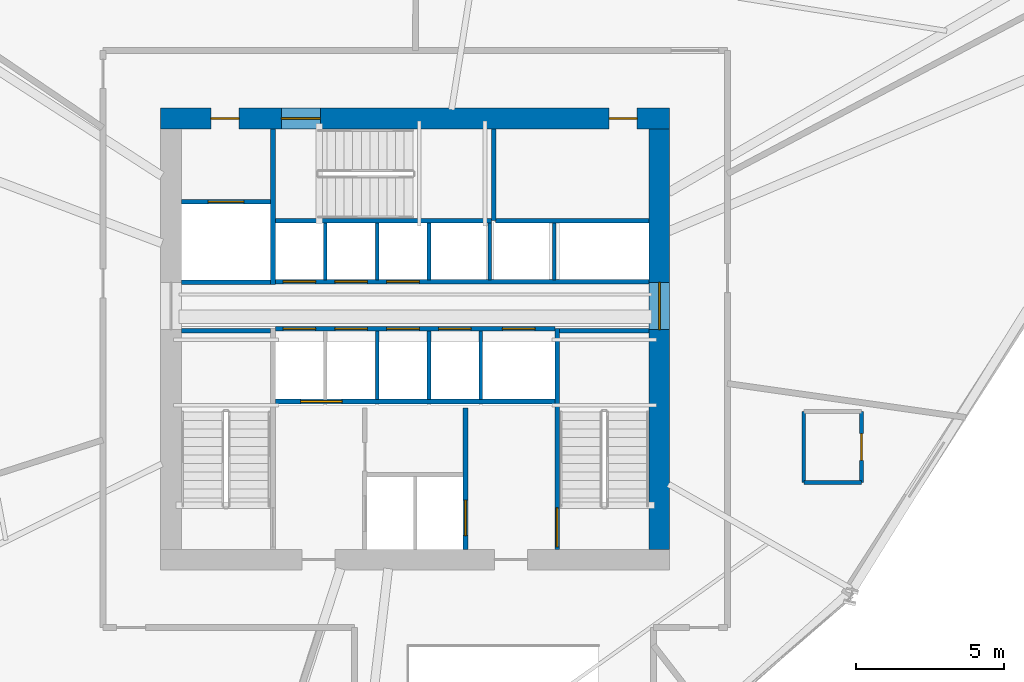
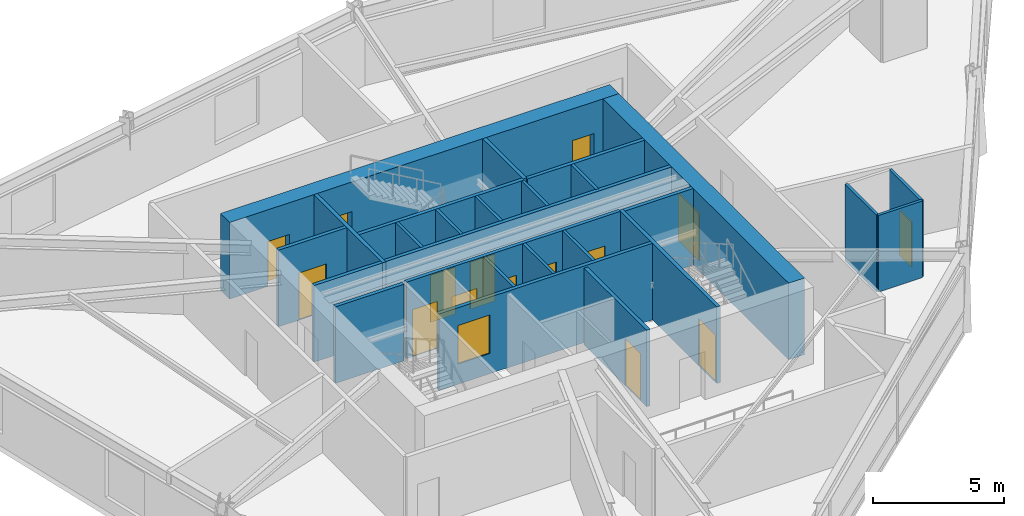
# One storey, part 12 of 16: 26 walls, 16 doors, 1 window, 17 openings.
"""IFC4 building model written with IfcOpenShell, lengths in metres."""

from ifc_helpers import new_model, si_unit, direction, frame, frame_2d, origin, place, context, subcontext, project, spatial, rectangle, extrude, source, transform, mapped, material, layer, layer_set, type_object, type_shapes, element, fill, save


model = new_model("IFC4")

# Units and contexts
model_context = context("Model", 3, precision=1e-05, world=origin(), true_north=direction((0.0, 1.0)))
body_context = subcontext(model_context, "Body", "Model", "MODEL_VIEW")
ifc_project = project(units=[si_unit("LENGTHUNIT", "METRE"), si_unit("AREAUNIT", "SQUARE_METRE"), si_unit("VOLUMEUNIT", "CUBIC_METRE"), si_unit("PLANEANGLEUNIT", "RADIAN"), si_unit("MASSUNIT", "GRAM", prefix="KILO")], contexts=[model_context])

# Site, building, storey
site_placement = place(None, origin())
site = spatial("IfcSite", under=ifc_project, at=site_placement, CompositionType="ELEMENT")
building_placement = place(site_placement, origin())
building = spatial("IfcBuilding", under=site, at=building_placement, Name="Olszyna Solenne Hotel", CompositionType="ELEMENT")
storey_placement = place(building_placement, frame((0.0, 0.0, 138.10009765625)))
storey = spatial("IfcBuildingStorey", under=building, at=storey_placement, Name="L36", CompositionType="ELEMENT", Elevation=138.10009765625)

# Wall, openings, doors
ifc_material_1 = material(Name="Concrete C60/75", Category="concrete")
ifc_layer_1 = layer(ifc_material_1, 0.699951171875, Name="Concrete C60/75")
ifc_layer_set_1 = layer_set([ifc_layer_1], Name="Concrete C60/75")
wall_type_1 = type_object("IfcWallType", Name="WL-CR700", PredefinedType="SHEAR", material=ifc_layer_set_1)
wall_1_placement = place(storey_placement, frame((29.39990234375, 34.050048828125, 0.0), z_axis=(0.0, 0.0, 1.0), x_axis=(1.0, 0.0, 0.0)))
wall_1 = element("IfcWall", 1, at=wall_1_placement, inside=storey, type_object=wall_type_1, Name="Core shear wall WL-CR700 CRW-L36-N", PredefinedType="SHEAR", context=body_context, shape_type="SweptSolid", body=[
    extrude(rectangle(XDim=17.2001953125, YDim=0.699951171875, at=frame_2d((8.60009765625, 0.0))), origin(), (0.0, 0.0, 1.0), 3.579833984375),
])
opening_1_placement = place(wall_1_placement, frame((1.699951171875, 0.0, 0.0)))
opening_1 = element("IfcOpeningElement", 2, at=opening_1_placement, cuts=wall_1, Name="Opening SVD-L36-01", PredefinedType="OPENING", context=body_context, shape_type="SweptSolid", body=[
    extrude(rectangle(XDim=0.949951171875, YDim=2.10009765625, at=frame_2d((0.47509765625, 1.050048828125))), frame((0.0, 0.35986328125, 0.0), z_axis=(0.0, -1.0, 0.0), x_axis=(1.0, 0.0, 0.0)), (0.0, 0.0, 1.0), 0.719970703125),
])
opening_2_placement = place(wall_1_placement, frame((4.080078125, 0.0, 0.0)))
opening_2 = element("IfcOpeningElement", 3, at=opening_2_placement, cuts=wall_1, Name="Opening STD-L36-03", PredefinedType="OPENING", context=body_context, shape_type="SweptSolid", body=[
    extrude(rectangle(XDim=1.320068359375, YDim=2.199951171875, at=frame_2d((0.66015625, 1.10009765625))), frame((0.0, 0.35986328125, 0.0), z_axis=(0.0, -1.0, 0.0), x_axis=(1.0, 0.0, 0.0)), (0.0, 0.0, 1.0), 0.719970703125),
])
opening_3_placement = place(wall_1_placement, frame((15.14990234375, 0.0, 0.0)))
opening_3 = element("IfcOpeningElement", 4, at=opening_3_placement, cuts=wall_1, Name="Opening SVD-L36-BN", PredefinedType="OPENING", context=body_context, shape_type="SweptSolid", body=[
    extrude(rectangle(XDim=0.949951171875, YDim=2.10009765625, at=frame_2d((0.47509765625, 1.050048828125))), frame((0.0, 0.35986328125, 0.0), z_axis=(0.0, -1.0, 0.0), x_axis=(1.0, 0.0, 0.0)), (0.0, 0.0, 1.0), 0.719970703125),
])
ifc_material_2 = material(Name="Steel S355J2", Category="steel")
door_type_1 = type_object("IfcDoorType", Name="DR-ST1", OperationType="NOTDEFINED", PredefinedType="DOOR", material=ifc_material_2)
shared_shape_1 = source(origin(), body_context, "Body", "SweptSolid", [
    extrude(rectangle(XDim=1.320068359375, YDim=2.199951171875, at=frame_2d((0.66015625, 1.10009765625))), frame((0.0, 0.02490234375, 0.0), z_axis=(0.0, -1.0, 0.0), x_axis=(1.0, 0.0, 0.0)), (0.0, 0.0, 1.0), 0.050048828125),
])
type_shapes(door_type_1, [shared_shape_1])
door_1_placement = place(opening_2_placement, origin())
door_1 = element("IfcDoor", 5, at=door_1_placement, inside=storey, type_object=door_type_1, Name="Pressurised exit stair ST3 fire door STD-L36-03", OperationType="SINGLE_SWING_RIGHT", OverallHeight=2.199951171875, OverallWidth=1.320068359375, PredefinedType="DOOR", context=body_context, shape_type="MappedRepresentation", body=[
    mapped(shared_shape_1, transform((0.0, 0.0, 0.0), x_axis=(1.0, 0.0, 0.0), y_axis=(0.0, 1.0, 0.0), z_axis=(0.0, 0.0, 1.0), scale=1.0)),
])
fill(opening_2, door_1)
door_type_2 = type_object("IfcDoorType", Name="DR-SV1", OperationType="NOTDEFINED", PredefinedType="DOOR", material=ifc_material_2)
shared_shape_2 = source(origin(), body_context, "Body", "SweptSolid", [
    extrude(rectangle(XDim=0.949951171875, YDim=2.10009765625, at=frame_2d((0.47509765625, 1.050048828125))), frame((0.0, 0.02490234375, 0.0), z_axis=(0.0, -1.0, 0.0), x_axis=(1.0, 0.0, 0.0)), (0.0, 0.0, 1.0), 0.050048828125),
])
type_shapes(door_type_2, [shared_shape_2])
door_2_placement = place(opening_1_placement, origin())
door_2 = element("IfcDoor", 6, at=door_2_placement, inside=storey, type_object=door_type_2, Name="Service lift lobby fire door SVD-L36-01", OperationType="SINGLE_SWING_LEFT", OverallHeight=2.10009765625, OverallWidth=0.949951171875, PredefinedType="DOOR", context=body_context, shape_type="MappedRepresentation", body=[
    mapped(shared_shape_2, transform((0.0, 0.0, 0.0), x_axis=(1.0, 0.0, 0.0), y_axis=(0.0, 1.0, 0.0), z_axis=(0.0, 0.0, 1.0), scale=1.0)),
])
fill(opening_1, door_2)
door_3_placement = place(opening_3_placement, origin())
door_3 = element("IfcDoor", 7, at=door_3_placement, inside=storey, type_object=door_type_2, Name="Housekeeping core fire door SVD-L36-BN", OperationType="SINGLE_SWING_LEFT", OverallHeight=2.10009765625, OverallWidth=0.949951171875, PredefinedType="DOOR", context=body_context, shape_type="MappedRepresentation", body=[
    mapped(shared_shape_2, transform((0.0, 0.0, 0.0), x_axis=(1.0, 0.0, 0.0), y_axis=(0.0, 1.0, 0.0), z_axis=(0.0, 0.0, 1.0), scale=1.0)),
])
fill(opening_3, door_3)

# Wall, opening, door
wall_2_placement = place(storey_placement, frame((46.25, 33.699951171875, 0.0), z_axis=(0.0, 0.0, 1.0), x_axis=(0.0, -1.0, 0.0)))
wall_2 = element("IfcWall", 8, at=wall_2_placement, inside=storey, type_object=wall_type_1, Name="Core shear wall WL-CR700 CRW-L36-E", PredefinedType="SHEAR", context=body_context, shape_type="SweptSolid", body=[
    extrude(rectangle(XDim=14.199951171875, YDim=0.699951171875, at=frame_2d((7.10009765625, 0.0))), origin(), (0.0, 0.0, 1.0), 3.579833984375),
])
opening_4_placement = place(wall_2_placement, frame((5.179931640625, 0.0, 0.0)))
opening_4 = element("IfcOpeningElement", 9, at=opening_4_placement, cuts=wall_2, Name="Opening LHD-L36-E", PredefinedType="OPENING", context=body_context, shape_type="SweptSolid", body=[
    extrude(rectangle(XDim=1.60009765625, YDim=2.199951171875, at=frame_2d((0.800048828125, 1.10009765625))), frame((0.0, 0.35986328125, 0.0), z_axis=(0.0, -1.0, 0.0), x_axis=(1.0, 0.0, 0.0)), (0.0, 0.0, 1.0), 0.719970703125),
])
ifc_material_3 = material(Name="Timber hardwood", Category="wood")
door_type_3 = type_object("IfcDoorType", Name="DR-CR1", OperationType="DOUBLE_DOOR_SINGLE_SWING", PredefinedType="DOOR", material=ifc_material_3)
shared_shape_3 = source(origin(), body_context, "Body", "SweptSolid", [
    extrude(rectangle(XDim=1.60009765625, YDim=2.199951171875, at=frame_2d((0.800048828125, 1.10009765625))), frame((0.0, 0.02490234375, 0.0), z_axis=(0.0, -1.0, 0.0), x_axis=(1.0, 0.0, 0.0)), (0.0, 0.0, 1.0), 0.050048828125),
])
type_shapes(door_type_3, [shared_shape_3])
door_4_placement = place(opening_4_placement, origin())
door_4 = element("IfcDoor", 10, at=door_4_placement, inside=storey, type_object=door_type_3, Name="Passenger lift lobby East fire door LHD-L36-E", OperationType="DOUBLE_DOOR_SINGLE_SWING", OverallHeight=2.199951171875, OverallWidth=1.60009765625, PredefinedType="DOOR", context=body_context, shape_type="MappedRepresentation", body=[
    mapped(shared_shape_3, transform((0.0, 0.0, 0.0), x_axis=(1.0, 0.0, 0.0), y_axis=(0.0, 1.0, 0.0), z_axis=(0.0, 0.0, 1.0), scale=1.0)),
])
fill(opening_4, door_4)

# Walls
ifc_material_4 = material(Name="Acoustic gypsum partition", Category="gypsum")
ifc_layer_2 = layer(ifc_material_4, 0.125, Name="Acoustic gypsum partition")
ifc_layer_set_2 = layer_set([ifc_layer_2], Name="Acoustic gypsum partition")
wall_type_2 = type_object("IfcWallType", Name="WL-PT125", PredefinedType="PARTITIONING", material=ifc_layer_set_2)
for number, where, z_axis, x_axis, name in (
    (11, (36.715087890625, 24.56005859375, 0.0), (0.0, 0.0, 1.0), (0.0, 1.0, 0.0), "Core shaft compartment wall CW-L36-DIVS367"),
    (12, (38.465087890625, 24.56005859375, 0.0), (0.0, 0.0, 1.0), (0.0, 1.0, 0.0), "Core shaft compartment wall CW-L36-DIVS384"),
    (13, (40.215087890625, 24.56005859375, 0.0), (0.0, 0.0, 1.0), (0.0, 1.0, 0.0), "Core shaft compartment wall CW-L36-DIVS402"),
):
    element("IfcWall", number, at=place(storey_placement, frame(where, z_axis=z_axis, x_axis=x_axis)), inside=storey, type_object=wall_type_2, Name=name, PredefinedType="PARTITIONING", context=body_context, shape_type="SweptSolid", body=[
        extrude(rectangle(XDim=2.31005859375, YDim=0.125, at=frame_2d((1.155029296875, 0.0))), origin(), (0.0, 0.0, 1.0), 3.579833984375),
    ])
for number, where, z_axis, x_axis, name in (
    (14, (34.965087890625, 28.60009765625, 0.0), (0.0, 0.0, 1.0), (0.0, 1.0, 0.0), "Core shaft compartment wall CW-L36-DIVN349"),
    (15, (36.715087890625, 28.60009765625, 0.0), (0.0, 0.0, 1.0), (0.0, 1.0, 0.0), "Core shaft compartment wall CW-L36-DIVN367"),
    (16, (38.465087890625, 28.60009765625, 0.0), (0.0, 0.0, 1.0), (0.0, 1.0, 0.0), "Core shaft compartment wall CW-L36-DIVN384"),
    (17, (40.52490234375, 28.60009765625, 0.0), (0.0, 0.0, 1.0), (0.0, 1.0, 0.0), "Core shaft compartment wall CW-L36-DIVEX405"),
    (18, (42.699951171875, 28.60009765625, 0.0), (0.0, 0.0, 1.0), (0.0, 1.0, 0.0), "Core shaft compartment wall CW-L36-DIVEX427"),
):
    element("IfcWall", number, at=place(storey_placement, frame(where, z_axis=z_axis, x_axis=x_axis)), inside=storey, type_object=wall_type_2, Name=name, PredefinedType="PARTITIONING", context=body_context, shape_type="SweptSolid", body=[
        extrude(rectangle(XDim=1.919921875, YDim=0.125, at=frame_2d((0.9599609375, 0.0))), origin(), (0.0, 0.0, 1.0), 3.579833984375),
    ])

# Wall, opening, door
wall_3_placement = place(storey_placement, frame((53.08203125, 21.75390625, 0.0), z_axis=(0.0, 0.0, 1.0), x_axis=(0.0, 1.0, 0.0)))
wall_3 = element("IfcWall", 19, at=wall_3_placement, inside=storey, type_object=wall_type_2, Name="Interior acoustic partition WL-PT125 PW-L36-2073", PredefinedType="PARTITIONING", context=body_context, shape_type="SweptSolid", body=[
    extrude(rectangle(XDim=2.400146484375, YDim=0.125, at=frame_2d((1.2001953125, 0.0))), origin(), (0.0, 0.0, 1.0), 3.579833984375),
])
opening_5_placement = place(wall_3_placement, frame((0.75, 0.0, 0.0)))
opening_5 = element("IfcOpeningElement", 20, at=opening_5_placement, cuts=wall_3, Name="Opening DR-L36-0501", PredefinedType="OPENING", context=body_context, shape_type="SweptSolid", body=[
    extrude(rectangle(XDim=0.89990234375, YDim=2.10009765625, at=frame_2d((0.449951171875, 1.050048828125))), frame((0.0, 0.072509765625, 0.0), z_axis=(0.0, -1.0, 0.0), x_axis=(1.0, 0.0, 0.0)), (0.0, 0.0, 1.0), 0.14501953125),
])
door_type_4 = type_object("IfcDoorType", Name="DR-WC1", OperationType="NOTDEFINED", PredefinedType="DOOR", material=ifc_material_3)
shared_shape_4 = source(origin(), body_context, "Body", "SweptSolid", [
    extrude(rectangle(XDim=0.89990234375, YDim=2.10009765625, at=frame_2d((0.449951171875, 1.050048828125))), frame((0.0, 0.02490234375, 0.0), z_axis=(0.0, -1.0, 0.0), x_axis=(1.0, 0.0, 0.0)), (0.0, 0.0, 1.0), 0.050048828125),
])
type_shapes(door_type_4, [shared_shape_4])
door_5_placement = place(opening_5_placement, origin())
door_5 = element("IfcDoor", 21, at=door_5_placement, inside=storey, type_object=door_type_4, Name="En-Suite Bathroom Door DR-L36-0501", OperationType="SINGLE_SWING_LEFT", OverallHeight=2.10009765625, OverallWidth=0.89990234375, PredefinedType="DOOR", context=body_context, shape_type="MappedRepresentation", body=[
    mapped(shared_shape_4, transform((0.0, 0.0, 0.0), x_axis=(1.0, 0.0, 0.0), y_axis=(0.0, 1.0, 0.0), z_axis=(0.0, 0.0, 1.0), scale=1.0)),
])
fill(opening_5, door_5)

# Walls
wall_4_placement = place(storey_placement, frame((51.132080078125, 24.154052734375, 0.0), z_axis=(0.0, 0.0, 1.0), x_axis=(0.0, -1.0, 0.0)))
element("IfcWall", 22, at=wall_4_placement, inside=storey, type_object=wall_type_2, Name="Interior acoustic partition WL-PT125 PW-L36-2075", PredefinedType="PARTITIONING", context=body_context, shape_type="SweptSolid", body=[
    extrude(rectangle(XDim=2.400146484375, YDim=0.125, at=frame_2d((1.2001953125, 0.0))), origin(), (0.0, 0.0, 1.0), 3.579833984375),
])
wall_5_placement = place(storey_placement, frame((51.132080078125, 21.75390625, 0.0), z_axis=(0.0, 0.0, 1.0), x_axis=(1.0, 0.0, 0.0)))
element("IfcWall", 23, at=wall_5_placement, inside=storey, type_object=wall_type_2, Name="Interior acoustic partition WL-PT125 PW-L36-2076", PredefinedType="PARTITIONING", context=body_context, shape_type="SweptSolid", body=[
    extrude(rectangle(XDim=1.949951171875, YDim=0.125, at=frame_2d((0.97509765625, 0.0))), origin(), (0.0, 0.0, 1.0), 3.579833984375),
])
ifc_layer_3 = layer(ifc_material_4, 0.159912109375, Name="Acoustic gypsum partition")
ifc_layer_set_3 = layer_set([ifc_layer_3], Name="Acoustic gypsum partition")
wall_type_3 = type_object("IfcWallType", Name="WL-PT160", PredefinedType="PARTITIONING", material=ifc_layer_set_3)
wall_6_placement = place(storey_placement, frame((30.10009765625, 26.8798828125, 0.0), z_axis=(0.0, 0.0, 1.0), x_axis=(1.0, 0.0, 0.0)))
element("IfcWall", 24, at=wall_6_placement, inside=storey, type_object=wall_type_3, Name="Core shaft compartment wall CW-L36-ST1N", PredefinedType="PARTITIONING", context=body_context, shape_type="SweptSolid", body=[
    extrude(rectangle(XDim=3.02001953125, YDim=0.159912109375, at=frame_2d((1.510009765625, 0.0))), origin(), (0.0, 0.0, 1.0), 3.579833984375),
])

# Wall, opening, door
wall_7_placement = place(storey_placement, frame((42.800048828125, 26.9599609375, 0.0), z_axis=(0.0, 0.0, 1.0), x_axis=(0.0, -1.0, 0.0)))
wall_7 = element("IfcWall", 25, at=wall_7_placement, inside=storey, type_object=wall_type_3, Name="Core shaft compartment wall CW-L36-ST2W", PredefinedType="PARTITIONING", context=body_context, shape_type="SweptSolid", body=[
    extrude(rectangle(XDim=7.4599609375, YDim=0.159912109375, at=frame_2d((3.72998046875, 0.0))), origin(), (0.0, 0.0, 1.0), 3.579833984375),
])
opening_6_placement = place(wall_7_placement, frame((6.06005859375, 0.0, 0.0)))
opening_6 = element("IfcOpeningElement", 26, at=opening_6_placement, cuts=wall_7, Name="Opening STD-L36-02", PredefinedType="OPENING", context=body_context, shape_type="SweptSolid", body=[
    extrude(rectangle(XDim=1.320068359375, YDim=2.199951171875, at=frame_2d((0.66015625, 1.10009765625))), frame((0.0, 0.08984375, 0.0), z_axis=(0.0, -1.0, 0.0), x_axis=(1.0, 0.0, 0.0)), (0.0, 0.0, 1.0), 0.179931640625),
])
door_6_placement = place(opening_6_placement, origin())
door_6 = element("IfcDoor", 27, at=door_6_placement, inside=storey, type_object=door_type_1, Name="Pressurised exit stair ST2 fire door STD-L36-02", OperationType="SINGLE_SWING_RIGHT", OverallHeight=2.199951171875, OverallWidth=1.320068359375, PredefinedType="DOOR", context=body_context, shape_type="MappedRepresentation", body=[
    mapped(shared_shape_1, transform((0.0, 0.0, 0.0), x_axis=(1.0, 0.0, 0.0), y_axis=(0.0, 1.0, 0.0), z_axis=(0.0, 0.0, 1.0), scale=1.0)),
])
fill(opening_6, door_6)

# Walls
wall_8_placement = place(storey_placement, frame((42.8798828125, 26.8798828125, 0.0), z_axis=(0.0, 0.0, 1.0), x_axis=(1.0, 0.0, 0.0)))
element("IfcWall", 28, at=wall_8_placement, inside=storey, type_object=wall_type_3, Name="Core shaft compartment wall CW-L36-ST2N", PredefinedType="PARTITIONING", context=body_context, shape_type="SweptSolid", body=[
    extrude(rectangle(XDim=3.02001953125, YDim=0.159912109375, at=frame_2d((1.510009765625, 0.0))), origin(), (0.0, 0.0, 1.0), 3.579833984375),
])
wall_9_placement = place(storey_placement, frame((33.280029296875, 30.60009765625, 0.0), z_axis=(0.0, 0.0, 1.0), x_axis=(1.0, 0.0, 0.0)))
element("IfcWall", 29, at=wall_9_placement, inside=storey, type_object=wall_type_3, Name="Core shaft compartment wall CW-L36-ST3S", PredefinedType="PARTITIONING", context=body_context, shape_type="SweptSolid", body=[
    extrude(rectangle(XDim=7.300048828125, YDim=0.159912109375, at=frame_2d((3.64990234375, 0.0))), origin(), (0.0, 0.0, 1.0), 3.579833984375),
])
wall_10_placement = place(storey_placement, frame((40.659912109375, 30.60009765625, 0.0), z_axis=(0.0, 0.0, 1.0), x_axis=(0.0, 1.0, 0.0)))
element("IfcWall", 30, at=wall_10_placement, inside=storey, type_object=wall_type_3, Name="Core shaft compartment wall CW-L36-ST3E", PredefinedType="PARTITIONING", context=body_context, shape_type="SweptSolid", body=[
    extrude(rectangle(XDim=3.099853515625, YDim=0.159912109375, at=frame_2d((1.5498046875, 0.0))), origin(), (0.0, 0.0, 1.0), 3.579833984375),
])

# Wall, opening, door
wall_11_placement = place(storey_placement, frame((39.699951171875, 24.280029296875, 0.0), z_axis=(0.0, 0.0, 1.0), x_axis=(0.0, -1.0, 0.0)))
wall_11 = element("IfcWall", 31, at=wall_11_placement, inside=storey, type_object=wall_type_3, Name="Core shaft compartment wall CW-L36-FF2E", PredefinedType="PARTITIONING", context=body_context, shape_type="SweptSolid", body=[
    extrude(rectangle(XDim=4.780029296875, YDim=0.159912109375, at=frame_2d((2.39013671875, 0.0))), origin(), (0.0, 0.0, 1.0), 3.579833984375),
])
opening_7_placement = place(wall_11_placement, frame((3.1201171875, 0.0, 0.0)))
opening_7 = element("IfcOpeningElement", 32, at=opening_7_placement, cuts=wall_11, Name="Opening LD-L36-FF2", PredefinedType="OPENING", context=body_context, shape_type="SweptSolid", body=[
    extrude(rectangle(XDim=1.199951171875, YDim=2.199951171875, at=frame_2d((0.60009765625, 1.10009765625))), frame((0.0, 0.08984375, 0.0), z_axis=(0.0, -1.0, 0.0), x_axis=(1.0, 0.0, 0.0)), (0.0, 0.0, 1.0), 0.179931640625),
])
door_type_5 = type_object("IfcDoorType", Name="LD-FF1", OperationType="DOUBLE_DOOR_SLIDING", PredefinedType="DOOR", material=ifc_material_2)
shared_shape_5 = source(origin(), body_context, "Body", "SweptSolid", [
    extrude(rectangle(XDim=1.199951171875, YDim=2.199951171875, at=frame_2d((0.60009765625, 1.10009765625))), frame((0.0, 0.02490234375, 0.0), z_axis=(0.0, -1.0, 0.0), x_axis=(1.0, 0.0, 0.0)), (0.0, 0.0, 1.0), 0.050048828125),
])
type_shapes(door_type_5, [shared_shape_5])
door_7_placement = place(opening_7_placement, origin())
door_7 = element("IfcDoor", 33, at=door_7_placement, inside=storey, type_object=door_type_5, Name="Firefighters lift FF2 sliding landing door LD-L36-FF2", OperationType="DOUBLE_DOOR_SLIDING", OverallHeight=2.199951171875, OverallWidth=1.199951171875, PredefinedType="DOOR", context=body_context, shape_type="MappedRepresentation", body=[
    mapped(shared_shape_5, transform((0.0, 0.0, 0.0), x_axis=(1.0, 0.0, 0.0), y_axis=(0.0, 1.0, 0.0), z_axis=(0.0, 0.0, 1.0), scale=1.0)),
])
fill(opening_7, door_7)

# Wall, opening, window
wall_12_placement = place(storey_placement, frame((33.280029296875, 24.489990234375, 0.0), z_axis=(0.0, 0.0, 1.0), x_axis=(1.0, 0.0, 0.0)))
wall_12 = element("IfcWall", 34, at=wall_12_placement, inside=storey, type_object=wall_type_3, Name="Core shaft compartment wall CW-L36-FFBN", PredefinedType="PARTITIONING", context=body_context, shape_type="SweptSolid", body=[
    extrude(rectangle(XDim=9.43994140625, YDim=0.159912109375, at=frame_2d((4.719970703125, 0.0))), origin(), (0.0, 0.0, 1.0), 3.579833984375),
])
opening_8_placement = place(wall_12_placement, frame((0.85009765625, 0.0, 0.949951171875)))
opening_8 = element("IfcOpeningElement", 35, at=opening_8_placement, cuts=wall_12, Name="Opening WNI-L36-01", PredefinedType="OPENING", context=body_context, shape_type="SweptSolid", body=[
    extrude(rectangle(XDim=1.39990234375, YDim=1.800048828125, at=frame_2d((0.699951171875, 0.89990234375))), frame((0.0, 0.08984375, 0.0), z_axis=(0.0, -1.0, 0.0), x_axis=(1.0, 0.0, 0.0)), (0.0, 0.0, 1.0), 0.179931640625),
])
ifc_material_5 = material(Name="Low-E triple glazing", Category="glass")
window_type = type_object("IfcWindowType", Name="WN-IN1", PartitioningType="SINGLE_PANEL", PredefinedType="WINDOW", material=ifc_material_5)
shared_shape_6 = source(origin(), body_context, "Body", "SweptSolid", [
    extrude(rectangle(XDim=1.39990234375, YDim=1.800048828125, at=frame_2d((0.699951171875, 0.89990234375))), frame((0.0, 0.030029296875, 0.0), z_axis=(0.0, -1.0, 0.0), x_axis=(1.0, 0.0, 0.0)), (0.0, 0.0, 1.0), 0.06005859375),
])
type_shapes(window_type, [shared_shape_6])
window_placement = place(opening_8_placement, origin())
window = element("IfcWindow", 36, at=window_placement, inside=storey, type_object=window_type, Name="Borrowed-light acoustic screen window WNI-L36-01", OverallHeight=1.800048828125, OverallWidth=1.39990234375, PartitioningType="SINGLE_PANEL", PredefinedType="WINDOW", context=body_context, shape_type="MappedRepresentation", body=[
    mapped(shared_shape_6, transform((0.0, 0.0, 0.0), x_axis=(1.0, 0.0, 0.0), y_axis=(0.0, 1.0, 0.0), z_axis=(0.0, 0.0, 1.0), scale=1.0)),
])
fill(opening_8, window)

# Walls
wall_13_placement = place(storey_placement, frame((30.10009765625, 28.52001953125, 0.0), z_axis=(0.0, 0.0, 1.0), x_axis=(1.0, 0.0, 0.0)))
element("IfcWall", 37, at=wall_13_placement, inside=storey, type_object=wall_type_3, Name="Core shaft compartment wall CW-L36-SV1S", PredefinedType="PARTITIONING", context=body_context, shape_type="SweptSolid", body=[
    extrude(rectangle(XDim=3.02001953125, YDim=0.159912109375, at=frame_2d((1.510009765625, 0.0))), origin(), (0.0, 0.0, 1.0), 3.579833984375),
])
wall_14_placement = place(storey_placement, frame((33.199951171875, 28.43994140625, 0.0), z_axis=(0.0, 0.0, 1.0), x_axis=(0.0, 1.0, 0.0)))
element("IfcWall", 38, at=wall_14_placement, inside=storey, type_object=wall_type_3, Name="Core shaft compartment wall CW-L36-SV1E", PredefinedType="PARTITIONING", context=body_context, shape_type="SweptSolid", body=[
    extrude(rectangle(XDim=5.260009765625, YDim=0.159912109375, at=frame_2d((2.6298828125, 0.0))), origin(), (0.0, 0.0, 1.0), 3.579833984375),
])

# Wall, opening, door
wall_15_placement = place(storey_placement, frame((30.10009765625, 31.239990234375, 0.0), z_axis=(0.0, 0.0, 1.0), x_axis=(1.0, 0.0, 0.0)))
wall_15 = element("IfcWall", 39, at=wall_15_placement, inside=storey, type_object=wall_type_3, Name="Core shaft compartment wall CW-L36-SV1N", PredefinedType="PARTITIONING", context=body_context, shape_type="SweptSolid", body=[
    extrude(rectangle(XDim=3.02001953125, YDim=0.159912109375, at=frame_2d((1.510009765625, 0.0))), origin(), (0.0, 0.0, 1.0), 3.579833984375),
])
opening_9_placement = place(wall_15_placement, frame((0.909912109375, 0.0, 0.0)))
opening_9 = element("IfcOpeningElement", 40, at=opening_9_placement, cuts=wall_15, Name="Opening LD-L36-SV1", PredefinedType="OPENING", context=body_context, shape_type="SweptSolid", body=[
    extrude(rectangle(XDim=1.199951171875, YDim=2.199951171875, at=frame_2d((0.60009765625, 1.10009765625))), frame((0.0, 0.08984375, 0.0), z_axis=(0.0, -1.0, 0.0), x_axis=(1.0, 0.0, 0.0)), (0.0, 0.0, 1.0), 0.179931640625),
])
door_8_placement = place(opening_9_placement, origin())
door_8 = element("IfcDoor", 41, at=door_8_placement, inside=storey, type_object=door_type_5, Name="Service lift SV1 sliding landing door LD-L36-SV1", OperationType="DOUBLE_DOOR_SLIDING", OverallHeight=2.199951171875, OverallWidth=1.199951171875, PredefinedType="DOOR", context=body_context, shape_type="MappedRepresentation", body=[
    mapped(shared_shape_5, transform((0.0, 0.0, 0.0), x_axis=(1.0, 0.0, 0.0), y_axis=(0.0, 1.0, 0.0), z_axis=(0.0, 0.0, 1.0), scale=1.0)),
])
fill(opening_9, door_8)

# Wall, openings, doors
wall_16_placement = place(storey_placement, frame((33.280029296875, 26.949951171875, 0.0), z_axis=(0.0, 0.0, 1.0), x_axis=(1.0, 0.0, 0.0)))
wall_16 = element("IfcWall", 42, at=wall_16_placement, inside=storey, type_object=wall_type_3, Name="Core shaft compartment wall CW-L36-LRS", PredefinedType="PARTITIONING", context=body_context, shape_type="SweptSolid", body=[
    extrude(rectangle(XDim=9.43994140625, YDim=0.159912109375, at=frame_2d((4.719970703125, 0.0))), origin(), (0.0, 0.0, 1.0), 3.579833984375),
])
opening_10_placement = place(wall_16_placement, frame((0.260009765625, 0.0, 0.0)))
opening_10 = element("IfcOpeningElement", 43, at=opening_10_placement, cuts=wall_16, Name="Opening LD-L36-PL1", PredefinedType="OPENING", context=body_context, shape_type="SweptSolid", body=[
    extrude(rectangle(XDim=1.10009765625, YDim=2.199951171875, at=frame_2d((0.550048828125, 1.10009765625))), frame((0.0, 0.08984375, 0.0), z_axis=(0.0, -1.0, 0.0), x_axis=(1.0, 0.0, 0.0)), (0.0, 0.0, 1.0), 0.179931640625),
])
opening_11_placement = place(wall_16_placement, frame((2.010009765625, 0.0, 0.0)))
opening_11 = element("IfcOpeningElement", 44, at=opening_11_placement, cuts=wall_16, Name="Opening LD-L36-PL2", PredefinedType="OPENING", context=body_context, shape_type="SweptSolid", body=[
    extrude(rectangle(XDim=1.10009765625, YDim=2.199951171875, at=frame_2d((0.550048828125, 1.10009765625))), frame((0.0, 0.08984375, 0.0), z_axis=(0.0, -1.0, 0.0), x_axis=(1.0, 0.0, 0.0)), (0.0, 0.0, 1.0), 0.179931640625),
])
opening_12_placement = place(wall_16_placement, frame((3.760009765625, 0.0, 0.0)))
opening_12 = element("IfcOpeningElement", 45, at=opening_12_placement, cuts=wall_16, Name="Opening LD-L36-PL3", PredefinedType="OPENING", context=body_context, shape_type="SweptSolid", body=[
    extrude(rectangle(XDim=1.10009765625, YDim=2.199951171875, at=frame_2d((0.550048828125, 1.10009765625))), frame((0.0, 0.08984375, 0.0), z_axis=(0.0, -1.0, 0.0), x_axis=(1.0, 0.0, 0.0)), (0.0, 0.0, 1.0), 0.179931640625),
])
opening_13_placement = place(wall_16_placement, frame((5.510009765625, 0.0, 0.0)))
opening_13 = element("IfcOpeningElement", 46, at=opening_13_placement, cuts=wall_16, Name="Opening LD-L36-PL4", PredefinedType="OPENING", context=body_context, shape_type="SweptSolid", body=[
    extrude(rectangle(XDim=1.10009765625, YDim=2.199951171875, at=frame_2d((0.550048828125, 1.10009765625))), frame((0.0, 0.08984375, 0.0), z_axis=(0.0, -1.0, 0.0), x_axis=(1.0, 0.0, 0.0)), (0.0, 0.0, 1.0), 0.179931640625),
])
opening_14_placement = place(wall_16_placement, frame((7.669921875, 0.0, 0.0)))
opening_14 = element("IfcOpeningElement", 47, at=opening_14_placement, cuts=wall_16, Name="Opening LD-L36-PL5", PredefinedType="OPENING", context=body_context, shape_type="SweptSolid", body=[
    extrude(rectangle(XDim=1.10009765625, YDim=2.199951171875, at=frame_2d((0.550048828125, 1.10009765625))), frame((0.0, 0.08984375, 0.0), z_axis=(0.0, -1.0, 0.0), x_axis=(1.0, 0.0, 0.0)), (0.0, 0.0, 1.0), 0.179931640625),
])
door_type_6 = type_object("IfcDoorType", Name="LD-P1", OperationType="DOUBLE_DOOR_SLIDING", PredefinedType="DOOR", material=ifc_material_2)
shared_shape_7 = source(origin(), body_context, "Body", "SweptSolid", [
    extrude(rectangle(XDim=1.10009765625, YDim=2.199951171875, at=frame_2d((0.550048828125, 1.10009765625))), frame((0.0, 0.02490234375, 0.0), z_axis=(0.0, -1.0, 0.0), x_axis=(1.0, 0.0, 0.0)), (0.0, 0.0, 1.0), 0.050048828125),
])
type_shapes(door_type_6, [shared_shape_7])
door_9_placement = place(opening_10_placement, origin())
door_9 = element("IfcDoor", 48, at=door_9_placement, inside=storey, type_object=door_type_6, Name="Passenger lift PL1 sliding landing door LD-L36-PL1", OperationType="DOUBLE_DOOR_SLIDING", OverallHeight=2.199951171875, OverallWidth=1.10009765625, PredefinedType="DOOR", context=body_context, shape_type="MappedRepresentation", body=[
    mapped(shared_shape_7, transform((0.0, 0.0, 0.0), x_axis=(1.0, 0.0, 0.0), y_axis=(0.0, 1.0, 0.0), z_axis=(0.0, 0.0, 1.0), scale=1.0)),
])
fill(opening_10, door_9)
door_10_placement = place(opening_11_placement, origin())
door_10 = element("IfcDoor", 49, at=door_10_placement, inside=storey, type_object=door_type_6, Name="Passenger lift PL2 sliding landing door LD-L36-PL2", OperationType="DOUBLE_DOOR_SLIDING", OverallHeight=2.199951171875, OverallWidth=1.10009765625, PredefinedType="DOOR", context=body_context, shape_type="MappedRepresentation", body=[
    mapped(shared_shape_7, transform((0.0, 0.0, 0.0), x_axis=(1.0, 0.0, 0.0), y_axis=(0.0, 1.0, 0.0), z_axis=(0.0, 0.0, 1.0), scale=1.0)),
])
fill(opening_11, door_10)
door_11_placement = place(opening_12_placement, origin())
door_11 = element("IfcDoor", 50, at=door_11_placement, inside=storey, type_object=door_type_6, Name="Passenger lift PL3 sliding landing door LD-L36-PL3", OperationType="DOUBLE_DOOR_SLIDING", OverallHeight=2.199951171875, OverallWidth=1.10009765625, PredefinedType="DOOR", context=body_context, shape_type="MappedRepresentation", body=[
    mapped(shared_shape_7, transform((0.0, 0.0, 0.0), x_axis=(1.0, 0.0, 0.0), y_axis=(0.0, 1.0, 0.0), z_axis=(0.0, 0.0, 1.0), scale=1.0)),
])
fill(opening_12, door_11)
door_12_placement = place(opening_13_placement, origin())
door_12 = element("IfcDoor", 51, at=door_12_placement, inside=storey, type_object=door_type_6, Name="Passenger lift PL4 sliding landing door LD-L36-PL4", OperationType="DOUBLE_DOOR_SLIDING", OverallHeight=2.199951171875, OverallWidth=1.10009765625, PredefinedType="DOOR", context=body_context, shape_type="MappedRepresentation", body=[
    mapped(shared_shape_7, transform((0.0, 0.0, 0.0), x_axis=(1.0, 0.0, 0.0), y_axis=(0.0, 1.0, 0.0), z_axis=(0.0, 0.0, 1.0), scale=1.0)),
])
fill(opening_13, door_12)
door_13_placement = place(opening_14_placement, origin())
door_13 = element("IfcDoor", 52, at=door_13_placement, inside=storey, type_object=door_type_6, Name="Passenger lift PL5 sliding landing door LD-L36-PL5", OperationType="DOUBLE_DOOR_SLIDING", OverallHeight=2.199951171875, OverallWidth=1.10009765625, PredefinedType="DOOR", context=body_context, shape_type="MappedRepresentation", body=[
    mapped(shared_shape_7, transform((0.0, 0.0, 0.0), x_axis=(1.0, 0.0, 0.0), y_axis=(0.0, 1.0, 0.0), z_axis=(0.0, 0.0, 1.0), scale=1.0)),
])
fill(opening_14, door_13)

wall_17_placement = place(storey_placement, frame((33.280029296875, 28.5400390625, 0.0), z_axis=(0.0, 0.0, 1.0), x_axis=(1.0, 0.0, 0.0)))
wall_17 = element("IfcWall", 53, at=wall_17_placement, inside=storey, type_object=wall_type_3, Name="Core shaft compartment wall CW-L36-LRN", PredefinedType="PARTITIONING", context=body_context, shape_type="SweptSolid", body=[
    extrude(rectangle(XDim=12.619873046875, YDim=0.159912109375, at=frame_2d((6.31005859375, 0.0))), origin(), (0.0, 0.0, 1.0), 3.579833984375),
])
opening_15_placement = place(wall_17_placement, frame((0.260009765625, 0.0, 0.0)))
opening_15 = element("IfcOpeningElement", 54, at=opening_15_placement, cuts=wall_17, Name="Opening LD-L36-PL6", PredefinedType="OPENING", context=body_context, shape_type="SweptSolid", body=[
    extrude(rectangle(XDim=1.10009765625, YDim=2.199951171875, at=frame_2d((0.550048828125, 1.10009765625))), frame((0.0, 0.08984375, 0.0), z_axis=(0.0, -1.0, 0.0), x_axis=(1.0, 0.0, 0.0)), (0.0, 0.0, 1.0), 0.179931640625),
])
opening_16_placement = place(wall_17_placement, frame((2.010009765625, 0.0, 0.0)))
opening_16 = element("IfcOpeningElement", 55, at=opening_16_placement, cuts=wall_17, Name="Opening LD-L36-PL7", PredefinedType="OPENING", context=body_context, shape_type="SweptSolid", body=[
    extrude(rectangle(XDim=1.10009765625, YDim=2.199951171875, at=frame_2d((0.550048828125, 1.10009765625))), frame((0.0, 0.08984375, 0.0), z_axis=(0.0, -1.0, 0.0), x_axis=(1.0, 0.0, 0.0)), (0.0, 0.0, 1.0), 0.179931640625),
])
opening_17_placement = place(wall_17_placement, frame((3.760009765625, 0.0, 0.0)))
opening_17 = element("IfcOpeningElement", 56, at=opening_17_placement, cuts=wall_17, Name="Opening LD-L36-PL8", PredefinedType="OPENING", context=body_context, shape_type="SweptSolid", body=[
    extrude(rectangle(XDim=1.10009765625, YDim=2.199951171875, at=frame_2d((0.550048828125, 1.10009765625))), frame((0.0, 0.08984375, 0.0), z_axis=(0.0, -1.0, 0.0), x_axis=(1.0, 0.0, 0.0)), (0.0, 0.0, 1.0), 0.179931640625),
])
door_14_placement = place(opening_15_placement, origin())
door_14 = element("IfcDoor", 57, at=door_14_placement, inside=storey, type_object=door_type_6, Name="Passenger lift PL6 sliding landing door LD-L36-PL6", OperationType="DOUBLE_DOOR_SLIDING", OverallHeight=2.199951171875, OverallWidth=1.10009765625, PredefinedType="DOOR", context=body_context, shape_type="MappedRepresentation", body=[
    mapped(shared_shape_7, transform((0.0, 0.0, 0.0), x_axis=(1.0, 0.0, 0.0), y_axis=(0.0, 1.0, 0.0), z_axis=(0.0, 0.0, 1.0), scale=1.0)),
])
fill(opening_15, door_14)
door_15_placement = place(opening_16_placement, origin())
door_15 = element("IfcDoor", 58, at=door_15_placement, inside=storey, type_object=door_type_6, Name="Passenger lift PL7 sliding landing door LD-L36-PL7", OperationType="DOUBLE_DOOR_SLIDING", OverallHeight=2.199951171875, OverallWidth=1.10009765625, PredefinedType="DOOR", context=body_context, shape_type="MappedRepresentation", body=[
    mapped(shared_shape_7, transform((0.0, 0.0, 0.0), x_axis=(1.0, 0.0, 0.0), y_axis=(0.0, 1.0, 0.0), z_axis=(0.0, 0.0, 1.0), scale=1.0)),
])
fill(opening_16, door_15)
door_16_placement = place(opening_17_placement, origin())
door_16 = element("IfcDoor", 59, at=door_16_placement, inside=storey, type_object=door_type_6, Name="Passenger lift PL8 sliding landing door LD-L36-PL8", OperationType="DOUBLE_DOOR_SLIDING", OverallHeight=2.199951171875, OverallWidth=1.10009765625, PredefinedType="DOOR", context=body_context, shape_type="MappedRepresentation", body=[
    mapped(shared_shape_7, transform((0.0, 0.0, 0.0), x_axis=(1.0, 0.0, 0.0), y_axis=(0.0, 1.0, 0.0), z_axis=(0.0, 0.0, 1.0), scale=1.0)),
])
fill(opening_17, door_16)

# Wall
wall_18_placement = place(storey_placement, frame((40.719970703125, 30.60009765625, 0.0), z_axis=(0.0, 0.0, 1.0), x_axis=(1.0, 0.0, 0.0)))
element("IfcWall", 60, at=wall_18_placement, inside=storey, type_object=wall_type_3, Name="Core shaft compartment wall CW-L36-LRNTOP", PredefinedType="PARTITIONING", context=body_context, shape_type="SweptSolid", body=[
    extrude(rectangle(XDim=5.179931640625, YDim=0.159912109375, at=frame_2d((2.58984375, 0.0))), origin(), (0.0, 0.0, 1.0), 3.579833984375),
])

save(model, "model.ifc")
